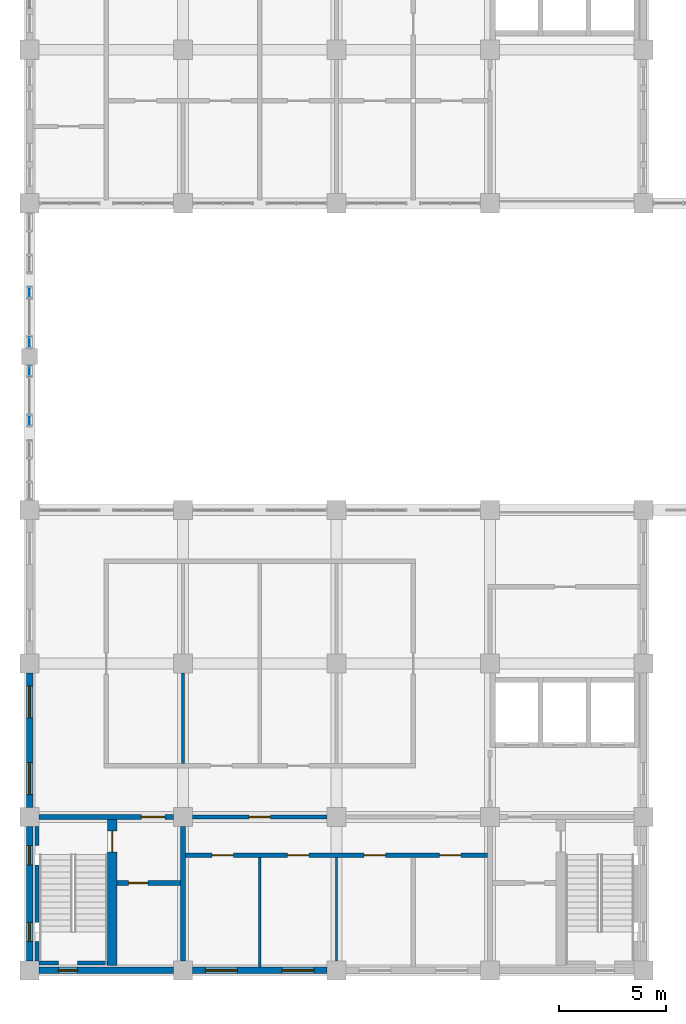
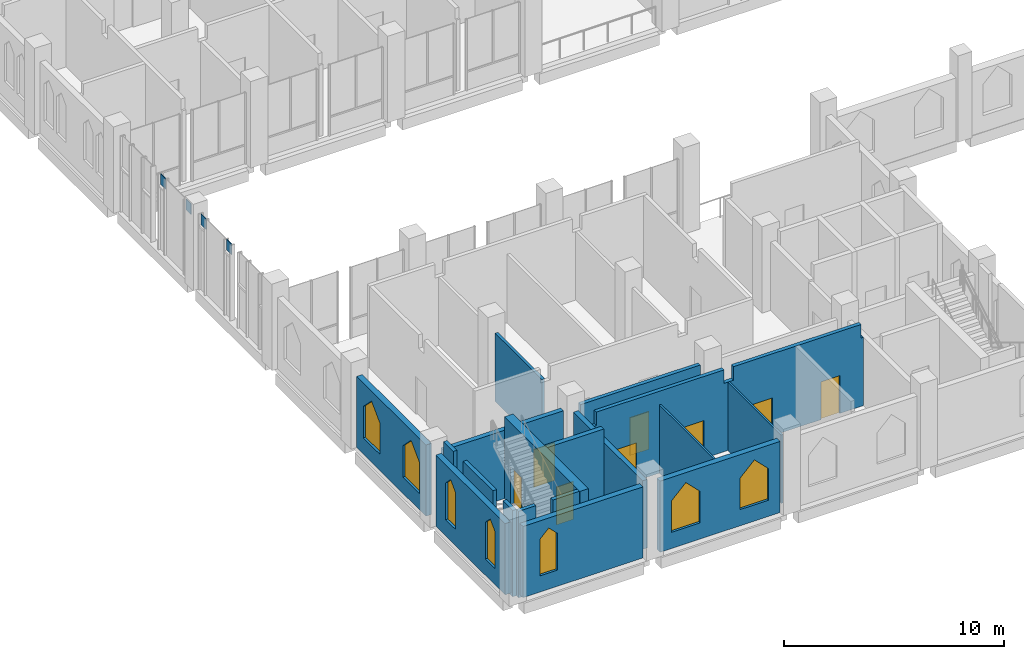
# One storey, part 27 of 39: 18 walls, 8 doors, 7 windows, 4 plates, 15 openings, 2 elements without a shape of their own.
"""IFC4 building model written with IfcOpenShell, lengths in metres."""

from ifc_helpers import new_model, si_unit, direction, frame, frame_2d, origin, origin_2d, place, context, subcontext, project, spatial, polyline, rectangle, outline, extrude, material, layer, layer_set, type_object, element, fill, aggregate, save


model = new_model("IFC4")

# Units and contexts
model_context = context("Model", 3, precision=1e-05, world=origin(), true_north=direction((0.0, 1.0)))
body_context = subcontext(model_context, "Body", "Model", "MODEL_VIEW")
ifc_project = project(units=[si_unit("LENGTHUNIT", "METRE"), si_unit("AREAUNIT", "SQUARE_METRE"), si_unit("VOLUMEUNIT", "CUBIC_METRE"), si_unit("PLANEANGLEUNIT", "RADIAN"), si_unit("MASSUNIT", "GRAM", prefix="KILO")], contexts=[model_context])

# Site, building, storey
site_placement = place(None, origin())
site = spatial("IfcSite", under=ifc_project, at=site_placement, CompositionType="ELEMENT")
building_placement = place(site_placement, origin())
building = spatial("IfcBuilding", under=site, at=building_placement, Name="Silangan Lancet Faculty of Sciences", CompositionType="ELEMENT")
storey_placement = place(building_placement, frame((0.0, 0.0, 26.39990234375)))
storey = spatial("IfcBuildingStorey", under=building, at=storey_placement, Name="L05", CompositionType="ELEMENT", Elevation=26.39990234375)

# Curtain wall, plates
ifc_material_1 = material(Name="Aluminium framed curtain wall with insulated glass", Category="aluminium")
curtain_wall_type = type_object("IfcCurtainWallType", Name="CW6 West window middle bays", PredefinedType="NOTDEFINED", material=ifc_material_1)
curtain_wall_1_placement = place(storey_placement, origin())
curtain_wall_1 = element("IfcCurtainWall", 1, at=curtain_wall_1_placement, inside=storey, type_object=curtain_wall_type, Name="CW6 West window L05 bay 2", PredefinedType="NOTDEFINED")
ifc_material_2 = material(Name="Insulated glass unit 8+16+8 low-emissivity", Category="glass")
ifc_layer_1 = layer(ifc_material_2, 0.031982421875)
ifc_layer_set_1 = layer_set([ifc_layer_1], Name="Insulated glass unit 8+16+8 low-emissivity")
plate_type = type_object("IfcPlateType", Name="CP1 Panel vision glass 32", PredefinedType="CURTAIN_PANEL", material=ifc_layer_set_1)
plate_1_placement = place(storey_placement, frame((0.0, 25.800048828125, 3.60009765625), z_axis=(0.0, 0.0, 1.0), x_axis=(0.0, 1.0, 0.0)))
plate_1 = element("IfcPlate", 2, at=plate_1_placement, type_object=plate_type, Name="CW6 West window L05 bay 2 panel 3", PredefinedType="CURTAIN_PANEL", context=body_context, shape_type="SweptSolid", body=[
    extrude(rectangle(XDim=0.449951171875, YDim=0.031982421875, at=origin_2d()), origin(), (0.0, 0.0, 1.0), 0.60009765625),
])
plate_2_placement = place(storey_placement, frame((0.0, 28.125, 3.60009765625), z_axis=(0.0, 0.0, 1.0), x_axis=(0.0, 1.0, 0.0)))
plate_2 = element("IfcPlate", 3, at=plate_2_placement, type_object=plate_type, Name="CW6 West window L05 bay 2 panel 4", PredefinedType="CURTAIN_PANEL", context=body_context, shape_type="SweptSolid", body=[
    extrude(rectangle(XDim=0.449951171875, YDim=0.031982421875, at=origin_2d()), origin(), (0.0, 0.0, 1.0), 0.60009765625),
])
aggregate(curtain_wall_1, [plate_1, plate_2])

curtain_wall_2_placement = place(storey_placement, origin())
curtain_wall_2 = element("IfcCurtainWall", 4, at=curtain_wall_2_placement, inside=storey, type_object=curtain_wall_type, Name="CW6 West window L05 bay 3", PredefinedType="NOTDEFINED")
plate_3_placement = place(storey_placement, frame((0.0, 29.47509765625, 3.60009765625), z_axis=(0.0, 0.0, 1.0), x_axis=(0.0, 1.0, 0.0)))
plate_3 = element("IfcPlate", 5, at=plate_3_placement, type_object=plate_type, Name="CW6 West window L05 bay 3 panel 3", PredefinedType="CURTAIN_PANEL", context=body_context, shape_type="SweptSolid", body=[
    extrude(rectangle(XDim=0.449951171875, YDim=0.031982421875, at=origin_2d()), origin(), (0.0, 0.0, 1.0), 0.60009765625),
])
plate_4_placement = place(storey_placement, frame((0.0, 31.7998046875, 3.60009765625), z_axis=(0.0, 0.0, 1.0), x_axis=(0.0, 1.0, 0.0)))
plate_4 = element("IfcPlate", 6, at=plate_4_placement, type_object=plate_type, Name="CW6 West window L05 bay 3 panel 4", PredefinedType="CURTAIN_PANEL", context=body_context, shape_type="SweptSolid", body=[
    extrude(rectangle(XDim=0.449951171875, YDim=0.031982421875, at=origin_2d()), origin(), (0.0, 0.0, 1.0), 0.60009765625),
])
aggregate(curtain_wall_2, [plate_3, plate_4])

# Wall, openings, windows
ifc_material_3 = material(Name="Concrete C40/50 precast", Category="concrete")
ifc_layer_2 = layer(ifc_material_3, 0.300048828125)
ifc_layer_set_2 = layer_set([ifc_layer_2], Name="Concrete C40/50 precast")
wall_type_1 = type_object("IfcWallType", Name="EW1 Precast cladding wall", PredefinedType="STANDARD", material=ifc_layer_set_2)
wall_1_placement = place(storey_placement, frame((0.0, 7.64990234375, 0.0), z_axis=(0.0, 0.0, 1.0), x_axis=(0.0, 1.0, 0.0)))
wall_1 = element("IfcWall", 7, at=wall_1_placement, inside=storey, type_object=wall_type_1, Name="EW-L05-W-ST-01", PredefinedType="STANDARD", context=body_context, shape_type="SweptSolid", body=[
    extrude(rectangle(XDim=6.300048828125, YDim=0.300048828125, at=frame_2d((3.14990234375, 0.0))), origin(), (0.0, 0.0, 1.0), 3.9501953125),
])
opening_1_placement = place(wall_1_placement, frame((0.60009765625, 0.0, 0.89990234375)))
opening_1 = element("IfcOpeningElement", 8, at=opening_1_placement, cuts=wall_1, Name="Opening W12", PredefinedType="OPENING", context=body_context, shape_type="SweptSolid", body=[
    extrude(outline(polyline([(0.0, 0.0), (1.5, 0.0), (1.5, 1.75), (0.75, 2.5), (0.0, 1.75), (0.0, 0.0)])), frame((0.0, 0.159912109375, 0.0), z_axis=(0.0, -1.0, 0.0), x_axis=(1.0, 0.0, 0.0)), (0.0, 0.0, 1.0), 0.320068359375),
])
opening_2_placement = place(wall_1_placement, frame((4.199951171875, 0.0, 0.89990234375)))
opening_2 = element("IfcOpeningElement", 9, at=opening_2_placement, cuts=wall_1, Name="Opening W12", PredefinedType="OPENING", context=body_context, shape_type="SweptSolid", body=[
    extrude(outline(polyline([(0.0, 0.0), (1.5, 0.0), (1.5, 1.75), (0.75, 2.5), (0.0, 1.75), (0.0, 0.0)])), frame((0.0, 0.159912109375, 0.0), z_axis=(0.0, -1.0, 0.0), x_axis=(1.0, 0.0, 0.0)), (0.0, 0.0, 1.0), 0.320068359375),
])
ifc_material_4 = material(Name="Aluminium frame, laminated double glazing", Category="aluminium")
window_type_1 = type_object("IfcWindowType", Name="W12 Lancet window 1500 x 2500", PartitioningType="SINGLE_PANEL", PredefinedType="WINDOW", material=ifc_material_4)
window_1_placement = place(opening_1_placement, origin())
window_1 = element("IfcWindow", 10, at=window_1_placement, inside=storey, type_object=window_type_1, Name="WIN-L05-W-ST-01a", OverallHeight=2.5, OverallWidth=1.5, PartitioningType="SINGLE_PANEL", PredefinedType="WINDOW", context=body_context, shape_type="SweptSolid", body=[
    extrude(outline(polyline([(0.0, 0.0), (1.5, 0.0), (1.5, 1.75), (0.75, 2.5), (0.0, 1.75), (0.0, 0.0)])), frame((0.0, 0.030029296875, 0.0), z_axis=(0.0, -1.0, 0.0), x_axis=(1.0, 0.0, 0.0)), (0.0, 0.0, 1.0), 0.06005859375),
])
fill(opening_1, window_1)
window_2_placement = place(opening_2_placement, origin())
window_2 = element("IfcWindow", 11, at=window_2_placement, inside=storey, type_object=window_type_1, Name="WIN-L05-W-ST-01b", OverallHeight=2.5, OverallWidth=1.5, PartitioningType="SINGLE_PANEL", PredefinedType="WINDOW", context=body_context, shape_type="SweptSolid", body=[
    extrude(outline(polyline([(0.0, 0.0), (1.5, 0.0), (1.5, 1.75), (0.75, 2.5), (0.0, 1.75), (0.0, 0.0)])), frame((0.0, 0.030029296875, 0.0), z_axis=(0.0, -1.0, 0.0), x_axis=(1.0, 0.0, 0.0)), (0.0, 0.0, 1.0), 0.06005859375),
])
fill(opening_2, window_2)

wall_2_placement = place(storey_placement, frame((7.64990234375, 0.0, 0.0), z_axis=(0.0, 0.0, 1.0), x_axis=(1.0, 0.0, 0.0)))
wall_2 = element("IfcWall", 12, at=wall_2_placement, inside=storey, type_object=wall_type_1, Name="EW-L05-S-ST-01", PredefinedType="STANDARD", context=body_context, shape_type="SweptSolid", body=[
    extrude(rectangle(XDim=6.300048828125, YDim=0.300048828125, at=frame_2d((3.14990234375, 0.0))), origin(), (0.0, 0.0, 1.0), 3.9501953125),
])
opening_3_placement = place(wall_2_placement, frame((0.60009765625, 0.0, 0.89990234375)))
opening_3 = element("IfcOpeningElement", 13, at=opening_3_placement, cuts=wall_2, Name="Opening W12", PredefinedType="OPENING", context=body_context, shape_type="SweptSolid", body=[
    extrude(outline(polyline([(0.0, 0.0), (1.5, 0.0), (1.5, 1.75), (0.75, 2.5), (0.0, 1.75), (0.0, 0.0)])), frame((0.0, 0.159912109375, 0.0), z_axis=(0.0, -1.0, 0.0), x_axis=(1.0, 0.0, 0.0)), (0.0, 0.0, 1.0), 0.320068359375),
])
opening_4_placement = place(wall_2_placement, frame((4.199951171875, 0.0, 0.89990234375)))
opening_4 = element("IfcOpeningElement", 14, at=opening_4_placement, cuts=wall_2, Name="Opening W12", PredefinedType="OPENING", context=body_context, shape_type="SweptSolid", body=[
    extrude(outline(polyline([(0.0, 0.0), (1.5, 0.0), (1.5, 1.75), (0.75, 2.5), (0.0, 1.75), (0.0, 0.0)])), frame((0.0, 0.159912109375, 0.0), z_axis=(0.0, -1.0, 0.0), x_axis=(1.0, 0.0, 0.0)), (0.0, 0.0, 1.0), 0.320068359375),
])
window_3_placement = place(opening_3_placement, origin())
window_3 = element("IfcWindow", 15, at=window_3_placement, inside=storey, type_object=window_type_1, Name="WIN-L05-S-ST-01a", OverallHeight=2.5, OverallWidth=1.5, PartitioningType="SINGLE_PANEL", PredefinedType="WINDOW", context=body_context, shape_type="SweptSolid", body=[
    extrude(outline(polyline([(0.0, 0.0), (1.5, 0.0), (1.5, 1.75), (0.75, 2.5), (0.0, 1.75), (0.0, 0.0)])), frame((0.0, 0.030029296875, 0.0), z_axis=(0.0, -1.0, 0.0), x_axis=(1.0, 0.0, 0.0)), (0.0, 0.0, 1.0), 0.06005859375),
])
fill(opening_3, window_3)
window_4_placement = place(opening_4_placement, origin())
window_4 = element("IfcWindow", 16, at=window_4_placement, inside=storey, type_object=window_type_1, Name="WIN-L05-S-ST-01b", OverallHeight=2.5, OverallWidth=1.5, PartitioningType="SINGLE_PANEL", PredefinedType="WINDOW", context=body_context, shape_type="SweptSolid", body=[
    extrude(outline(polyline([(0.0, 0.0), (1.5, 0.0), (1.5, 1.75), (0.75, 2.5), (0.0, 1.75), (0.0, 0.0)])), frame((0.0, 0.030029296875, 0.0), z_axis=(0.0, -1.0, 0.0), x_axis=(1.0, 0.0, 0.0)), (0.0, 0.0, 1.0), 0.06005859375),
])
fill(opening_4, window_4)

ifc_material_5 = material(Name="Concrete C40/50 precast", Category="concrete")
ifc_layer_3 = layer(ifc_material_5, 0.300048828125)
ifc_layer_set_3 = layer_set([ifc_layer_3], Name="Concrete C40/50 precast")
wall_type_2 = type_object("IfcWallType", Name="EW2 Turret enclosure wall", PredefinedType="STANDARD", material=ifc_layer_set_3)
wall_3_placement = place(storey_placement, frame((0.0, 0.449951171875, 0.0), z_axis=(0.0, 0.0, 1.0), x_axis=(0.0, 1.0, 0.0)))
wall_3 = element("IfcWall", 17, at=wall_3_placement, inside=storey, type_object=wall_type_2, Name="EW-L05-W-ST-00", PredefinedType="STANDARD", context=body_context, shape_type="SweptSolid", body=[
    extrude(rectangle(XDim=6.300048828125, YDim=0.300048828125, at=frame_2d((3.14990234375, 0.0))), origin(), (0.0, 0.0, 1.0), 3.9501953125),
])
opening_5_placement = place(wall_3_placement, frame((0.89990234375, 0.0, 0.89990234375)))
opening_5 = element("IfcOpeningElement", 18, at=opening_5_placement, cuts=wall_3, Name="Opening W11", PredefinedType="OPENING", context=body_context, shape_type="SweptSolid", body=[
    extrude(outline(polyline([(0.0, 0.0), (0.89990234375, 0.0), (0.89990234375, 2.050048828125), (0.449951171875, 2.5), (0.0, 2.050048828125), (0.0, 0.0)])), frame((0.0, 0.159912109375, 0.0), z_axis=(0.0, -1.0, 0.0), x_axis=(1.0, 0.0, 0.0)), (0.0, 0.0, 1.0), 0.320068359375),
])
opening_6_placement = place(wall_3_placement, frame((4.5, 0.0, 0.89990234375)))
opening_6 = element("IfcOpeningElement", 19, at=opening_6_placement, cuts=wall_3, Name="Opening W11", PredefinedType="OPENING", context=body_context, shape_type="SweptSolid", body=[
    extrude(outline(polyline([(0.0, 0.0), (0.89990234375, 0.0), (0.89990234375, 2.050048828125), (0.449951171875, 2.5), (0.0, 2.050048828125), (0.0, 0.0)])), frame((0.0, 0.159912109375, 0.0), z_axis=(0.0, -1.0, 0.0), x_axis=(1.0, 0.0, 0.0)), (0.0, 0.0, 1.0), 0.320068359375),
])
ifc_material_6 = material(Name="Aluminium frame, laminated double glazing", Category="aluminium")
window_type_2 = type_object("IfcWindowType", Name="W11 Lancet window 900 x 2500", PartitioningType="SINGLE_PANEL", PredefinedType="WINDOW", material=ifc_material_6)
window_5_placement = place(opening_5_placement, origin())
window_5 = element("IfcWindow", 20, at=window_5_placement, inside=storey, type_object=window_type_2, Name="WIN-L05-W-ST-00a", OverallHeight=2.5, OverallWidth=0.89990234375, PartitioningType="SINGLE_PANEL", PredefinedType="WINDOW", context=body_context, shape_type="SweptSolid", body=[
    extrude(outline(polyline([(0.0, 0.0), (0.89990234375, 0.0), (0.89990234375, 2.050048828125), (0.449951171875, 2.5), (0.0, 2.050048828125), (0.0, 0.0)])), frame((0.0, 0.030029296875, 0.0), z_axis=(0.0, -1.0, 0.0), x_axis=(1.0, 0.0, 0.0)), (0.0, 0.0, 1.0), 0.06005859375),
])
fill(opening_5, window_5)
window_6_placement = place(opening_6_placement, origin())
window_6 = element("IfcWindow", 21, at=window_6_placement, inside=storey, type_object=window_type_2, Name="WIN-L05-W-ST-00b", OverallHeight=2.5, OverallWidth=0.89990234375, PartitioningType="SINGLE_PANEL", PredefinedType="WINDOW", context=body_context, shape_type="SweptSolid", body=[
    extrude(outline(polyline([(0.0, 0.0), (0.89990234375, 0.0), (0.89990234375, 2.050048828125), (0.449951171875, 2.5), (0.0, 2.050048828125), (0.0, 0.0)])), frame((0.0, 0.030029296875, 0.0), z_axis=(0.0, -1.0, 0.0), x_axis=(1.0, 0.0, 0.0)), (0.0, 0.0, 1.0), 0.06005859375),
])
fill(opening_6, window_6)

# Wall, opening, window
wall_4_placement = place(storey_placement, frame((0.449951171875, 0.0, 0.0), z_axis=(0.0, 0.0, 1.0), x_axis=(1.0, 0.0, 0.0)))
wall_4 = element("IfcWall", 22, at=wall_4_placement, inside=storey, type_object=wall_type_2, Name="EW-L05-S-ST-00", PredefinedType="STANDARD", context=body_context, shape_type="SweptSolid", body=[
    extrude(rectangle(XDim=6.300048828125, YDim=0.300048828125, at=frame_2d((3.14990234375, 0.0))), origin(), (0.0, 0.0, 1.0), 3.9501953125),
])
opening_7_placement = place(wall_4_placement, frame((0.89990234375, 0.0, 0.89990234375)))
opening_7 = element("IfcOpeningElement", 23, at=opening_7_placement, cuts=wall_4, Name="Opening W11", PredefinedType="OPENING", context=body_context, shape_type="SweptSolid", body=[
    extrude(outline(polyline([(0.0, 0.0), (0.89990234375, 0.0), (0.89990234375, 2.050048828125), (0.449951171875, 2.5), (0.0, 2.050048828125), (0.0, 0.0)])), frame((0.0, 0.159912109375, 0.0), z_axis=(0.0, -1.0, 0.0), x_axis=(1.0, 0.0, 0.0)), (0.0, 0.0, 1.0), 0.320068359375),
])
window_7_placement = place(opening_7_placement, origin())
window_7 = element("IfcWindow", 24, at=window_7_placement, inside=storey, type_object=window_type_2, Name="WIN-L05-S-ST-00a", OverallHeight=2.5, OverallWidth=0.89990234375, PartitioningType="SINGLE_PANEL", PredefinedType="WINDOW", context=body_context, shape_type="SweptSolid", body=[
    extrude(outline(polyline([(0.0, 0.0), (0.89990234375, 0.0), (0.89990234375, 2.050048828125), (0.449951171875, 2.5), (0.0, 2.050048828125), (0.0, 0.0)])), frame((0.0, 0.030029296875, 0.0), z_axis=(0.0, -1.0, 0.0), x_axis=(1.0, 0.0, 0.0)), (0.0, 0.0, 1.0), 0.06005859375),
])
fill(opening_7, window_7)

# Wall, openings, doors
ifc_material_7 = material(Name="Hollow block masonry fm 7 MPa", Category="masonry")
ifc_layer_4 = layer(ifc_material_7, 0.199951171875)
ifc_layer_set_4 = layer_set([ifc_layer_4], Name="Hollow block masonry fm 7 MPa")
wall_type_3 = type_object("IfcWallType", Name="Interior wall PW1 Corridor wall CHB 200", PredefinedType="PARTITIONING", material=ifc_layer_set_4)
wall_5_placement = place(storey_placement, frame((7.324951171875, 5.39990234375, 0.0), z_axis=(0.0, 0.0, 1.0), x_axis=(1.0, 0.0, 0.0)))
wall_5 = element("IfcWall", 25, at=wall_5_placement, inside=storey, type_object=wall_type_3, Name="Corridor wall CHB 200", PredefinedType="PARTITIONING", context=body_context, shape_type="SweptSolid", body=[
    extrude(outline(polyline([(0.0, 0.0), (14.150146484375, 0.0), (14.150146484375, 3.800048828125), (14.02490234375, 3.800048828125), (14.02490234375, 4.550048828125), (7.324951171875, 4.550048828125), (7.324951171875, 3.800048828125), (6.824951171875, 3.800048828125), (6.824951171875, 4.550048828125), (0.125, 4.550048828125), (0.125, 3.800048828125), (0.0, 3.800048828125), (0.0, 0.0)])), frame((0.0, 0.10009765625, 0.0), z_axis=(0.0, -1.0, 0.0), x_axis=(1.0, 0.0, 0.0)), (0.0, 0.0, 1.0), 0.199951171875),
])
opening_8_placement = place(wall_5_placement, frame((1.237548828125, 0.0, 0.0)))
opening_8 = element("IfcOpeningElement", 26, at=opening_8_placement, cuts=wall_5, Name="Opening L05-009", PredefinedType="OPENING", context=body_context, shape_type="SweptSolid", body=[
    extrude(rectangle(XDim=1.0, YDim=2.10009765625, at=frame_2d((0.5, 1.050048828125))), frame((0.0, 0.10986328125, 0.0), z_axis=(0.0, -1.0, 0.0), x_axis=(1.0, 0.0, 0.0)), (0.0, 0.0, 1.0), 0.219970703125),
])
opening_9_placement = place(wall_5_placement, frame((4.77490234375, 0.0, 0.0)))
opening_9 = element("IfcOpeningElement", 27, at=opening_9_placement, cuts=wall_5, Name="Opening L05-010", PredefinedType="OPENING", context=body_context, shape_type="SweptSolid", body=[
    extrude(rectangle(XDim=1.0, YDim=2.10009765625, at=frame_2d((0.5, 1.050048828125))), frame((0.0, 0.10986328125, 0.0), z_axis=(0.0, -1.0, 0.0), x_axis=(1.0, 0.0, 0.0)), (0.0, 0.0, 1.0), 0.219970703125),
])
opening_10_placement = place(wall_5_placement, frame((8.375, 0.0, 0.0)))
opening_10 = element("IfcOpeningElement", 28, at=opening_10_placement, cuts=wall_5, Name="Opening L05-011", PredefinedType="OPENING", context=body_context, shape_type="SweptSolid", body=[
    extrude(rectangle(XDim=1.0, YDim=2.10009765625, at=frame_2d((0.5, 1.050048828125))), frame((0.0, 0.10986328125, 0.0), z_axis=(0.0, -1.0, 0.0), x_axis=(1.0, 0.0, 0.0)), (0.0, 0.0, 1.0), 0.219970703125),
])
opening_11_placement = place(wall_5_placement, frame((11.91259765625, 0.0, 0.0)))
opening_11 = element("IfcOpeningElement", 29, at=opening_11_placement, cuts=wall_5, Name="Opening L05-012", PredefinedType="OPENING", context=body_context, shape_type="SweptSolid", body=[
    extrude(rectangle(XDim=1.0, YDim=2.10009765625, at=frame_2d((0.5, 1.050048828125))), frame((0.0, 0.10986328125, 0.0), z_axis=(0.0, -1.0, 0.0), x_axis=(1.0, 0.0, 0.0)), (0.0, 0.0, 1.0), 0.219970703125),
])
ifc_material_8 = material(Name="Steel fire door set", Category="steel")
door_type_1 = type_object("IfcDoorType", Name="Door D1 Single leaf fire door 1000 x 2100", OperationType="SINGLE_SWING_LEFT", PredefinedType="DOOR", material=ifc_material_8)
door_1_placement = place(opening_8_placement, frame((1.0, 0.0, 0.0), z_axis=(0.0, 0.0, 1.0), x_axis=(-1.0, 0.0, 0.0)))
door_1 = element("IfcDoor", 30, at=door_1_placement, inside=storey, type_object=door_type_1, Name="Single leaf fire door 1000 x 2100", OperationType="SINGLE_SWING_LEFT", OverallHeight=2.10009765625, OverallWidth=1.0, PredefinedType="DOOR", context=body_context, shape_type="SweptSolid", body=[
    extrude(rectangle(XDim=1.0, YDim=2.10009765625, at=frame_2d((0.5, 1.050048828125))), frame((0.0, 0.025146484375, 0.0), z_axis=(0.0, -1.0, 0.0), x_axis=(1.0, 0.0, 0.0)), (0.0, 0.0, 1.0), 0.050048828125),
])
fill(opening_8, door_1)
door_2_placement = place(opening_9_placement, frame((1.0, 0.0, 0.0), z_axis=(0.0, 0.0, 1.0), x_axis=(-1.0, 0.0, 0.0)))
door_2 = element("IfcDoor", 31, at=door_2_placement, inside=storey, type_object=door_type_1, Name="Single leaf fire door 1000 x 2100", OperationType="SINGLE_SWING_RIGHT", OverallHeight=2.10009765625, OverallWidth=1.0, PredefinedType="DOOR", context=body_context, shape_type="SweptSolid", body=[
    extrude(rectangle(XDim=1.0, YDim=2.10009765625, at=frame_2d((0.5, 1.050048828125))), frame((0.0, 0.025146484375, 0.0), z_axis=(0.0, -1.0, 0.0), x_axis=(1.0, 0.0, 0.0)), (0.0, 0.0, 1.0), 0.050048828125),
])
fill(opening_9, door_2)
door_3_placement = place(opening_10_placement, frame((1.0, 0.0, 0.0), z_axis=(0.0, 0.0, 1.0), x_axis=(-1.0, 0.0, 0.0)))
door_3 = element("IfcDoor", 32, at=door_3_placement, inside=storey, type_object=door_type_1, Name="Single leaf fire door 1000 x 2100", OperationType="SINGLE_SWING_LEFT", OverallHeight=2.10009765625, OverallWidth=1.0, PredefinedType="DOOR", context=body_context, shape_type="SweptSolid", body=[
    extrude(rectangle(XDim=1.0, YDim=2.10009765625, at=frame_2d((0.5, 1.050048828125))), frame((0.0, 0.025146484375, 0.0), z_axis=(0.0, -1.0, 0.0), x_axis=(1.0, 0.0, 0.0)), (0.0, 0.0, 1.0), 0.050048828125),
])
fill(opening_10, door_3)
door_4_placement = place(opening_11_placement, frame((1.0, 0.0, 0.0), z_axis=(0.0, 0.0, 1.0), x_axis=(-1.0, 0.0, 0.0)))
door_4 = element("IfcDoor", 33, at=door_4_placement, inside=storey, type_object=door_type_1, Name="Single leaf fire door 1000 x 2100", OperationType="SINGLE_SWING_RIGHT", OverallHeight=2.10009765625, OverallWidth=1.0, PredefinedType="DOOR", context=body_context, shape_type="SweptSolid", body=[
    extrude(rectangle(XDim=1.0, YDim=2.10009765625, at=frame_2d((0.5, 1.050048828125))), frame((0.0, 0.025146484375, 0.0), z_axis=(0.0, -1.0, 0.0), x_axis=(1.0, 0.0, 0.0)), (0.0, 0.0, 1.0), 0.050048828125),
])
fill(opening_11, door_4)

# Wall, opening, door
wall_6_placement = place(storey_placement, frame((7.64990234375, 7.199951171875, 0.0), z_axis=(0.0, 0.0, 1.0), x_axis=(1.0, 0.0, 0.0)))
wall_6 = element("IfcWall", 34, at=wall_6_placement, inside=storey, type_object=wall_type_3, Name="Corridor wall CHB 200", PredefinedType="PARTITIONING", context=body_context, shape_type="SweptSolid", body=[
    extrude(rectangle(XDim=6.300048828125, YDim=0.199951171875, at=frame_2d((3.14990234375, 0.0))), origin(), (0.0, 0.0, 1.0), 3.800048828125),
])
opening_12_placement = place(wall_6_placement, frame((2.64990234375, 0.0, 0.0)))
opening_12 = element("IfcOpeningElement", 35, at=opening_12_placement, cuts=wall_6, Name="Opening L05-002", PredefinedType="OPENING", context=body_context, shape_type="SweptSolid", body=[
    extrude(rectangle(XDim=1.0, YDim=2.10009765625, at=frame_2d((0.5, 1.050048828125))), frame((0.0, 0.10986328125, 0.0), z_axis=(0.0, -1.0, 0.0), x_axis=(1.0, 0.0, 0.0)), (0.0, 0.0, 1.0), 0.219970703125),
])
door_5_placement = place(opening_12_placement, frame((1.0, 0.0, 0.0), z_axis=(0.0, 0.0, 1.0), x_axis=(-1.0, 0.0, 0.0)))
door_5 = element("IfcDoor", 36, at=door_5_placement, inside=storey, type_object=door_type_1, Name="Single leaf fire door 1000 x 2100", OperationType="SINGLE_SWING_RIGHT", OverallHeight=2.10009765625, OverallWidth=1.0, PredefinedType="DOOR", context=body_context, shape_type="SweptSolid", body=[
    extrude(rectangle(XDim=1.0, YDim=2.10009765625, at=frame_2d((0.5, 1.050048828125))), frame((0.0, 0.025146484375, 0.0), z_axis=(0.0, -1.0, 0.0), x_axis=(1.0, 0.0, 0.0)), (0.0, 0.0, 1.0), 0.050048828125),
])
fill(opening_12, door_5)

# Walls
ifc_material_9 = material(Name="Hollow block masonry fm 7 MPa", Category="masonry")
ifc_layer_5 = layer(ifc_material_9, 0.14990234375)
ifc_layer_set_5 = layer_set([ifc_layer_5], Name="Hollow block masonry fm 7 MPa")
wall_type_4 = type_object("IfcWallType", Name="Interior wall PW3 Partition CHB 150", PredefinedType="PARTITIONING", material=ifc_layer_set_5)
wall_7_placement = place(storey_placement, frame((7.199951171875, 9.699951171875, 0.0), z_axis=(0.0, 0.0, 1.0), x_axis=(0.0, 1.0, 0.0)))
element("IfcWall", 37, at=wall_7_placement, inside=storey, type_object=wall_type_4, Name="Partition CHB 150", PredefinedType="PARTITIONING", context=body_context, shape_type="SweptSolid", body=[
    extrude(rectangle(XDim=4.25, YDim=0.14990234375, at=frame_2d((2.125, 0.0))), origin(), (0.0, 0.0, 1.0), 3.800048828125),
])
ifc_material_10 = material(Name="Hollow block masonry fm 7 MPa", Category="masonry")
ifc_layer_6 = layer(ifc_material_10, 0.10009765625)
ifc_layer_set_6 = layer_set([ifc_layer_6], Name="Hollow block masonry fm 7 MPa")
wall_type_5 = type_object("IfcWallType", Name="Interior wall PW8 WC partition CHB 100", PredefinedType="PARTITIONING", material=ifc_layer_set_6)
wall_8_placement = place(storey_placement, frame((10.800048828125, 0.14990234375, 0.0), z_axis=(0.0, 0.0, 1.0), x_axis=(0.0, 1.0, 0.0)))
element("IfcWall", 38, at=wall_8_placement, inside=storey, type_object=wall_type_5, Name="WC partition CHB 100", PredefinedType="PARTITIONING", context=body_context, shape_type="SweptSolid", body=[
    extrude(rectangle(XDim=5.150146484375, YDim=0.10009765625, at=frame_2d((2.5751953125, 0.0))), origin(), (0.0, 0.0, 1.0), 3.800048828125),
])
wall_9_placement = place(storey_placement, frame((14.39990234375, 0.449951171875, 0.0), z_axis=(0.0, 0.0, 1.0), x_axis=(0.0, 1.0, 0.0)))
element("IfcWall", 39, at=wall_9_placement, inside=storey, type_object=wall_type_5, Name="WC partition CHB 100", PredefinedType="PARTITIONING", context=body_context, shape_type="SweptSolid", body=[
    extrude(rectangle(XDim=4.85009765625, YDim=0.10009765625, at=frame_2d((2.425048828125, 0.0))), origin(), (0.0, 0.0, 1.0), 3.800048828125),
])

# Wall, opening, door
ifc_material_11 = material(Name="Concrete C40/50", Category="concrete")
ifc_layer_7 = layer(ifc_material_11, 0.449951171875)
ifc_layer_set_7 = layer_set([ifc_layer_7], Name="Concrete C40/50")
wall_type_6 = type_object("IfcWallType", Name="TURRET CORE WALL RC 450", PredefinedType="SHEAR", material=ifc_layer_set_7)
wall_10_placement = place(storey_placement, frame((3.875, 0.22509765625, 0.0), z_axis=(0.0, 0.0, 1.0), x_axis=(0.0, 1.0, 0.0)))
wall_10 = element("IfcWall", 40, at=wall_10_placement, inside=storey, type_object=wall_type_6, Name="WALL-L05-ST-A-WELL", PredefinedType="SHEAR", context=body_context, shape_type="SweptSolid", body=[
    extrude(rectangle(XDim=6.849853515625, YDim=0.449951171875, at=frame_2d((3.4248046875, 0.0))), origin(), (0.0, 0.0, 1.0), 4.550048828125),
])
opening_13_placement = place(wall_10_placement, frame((5.324951171875, 0.0, 0.0)))
opening_13 = element("IfcOpeningElement", 41, at=opening_13_placement, cuts=wall_10, Name="Opening L05-713", PredefinedType="OPENING", context=body_context, shape_type="SweptSolid", body=[
    extrude(rectangle(XDim=1.0, YDim=2.10009765625, at=frame_2d((0.5, 1.050048828125))), frame((0.0, 0.23486328125, 0.0), z_axis=(0.0, -1.0, 0.0), x_axis=(1.0, 0.0, 0.0)), (0.0, 0.0, 1.0), 0.469970703125),
])
ifc_material_12 = material(Name="Steel fire door set", Category="steel")
door_type_2 = type_object("IfcDoorType", Name="D71 Stair enclosure door 1000x2100", OperationType="SINGLE_SWING_LEFT", PredefinedType="DOOR", material=ifc_material_12)
door_6_placement = place(opening_13_placement, origin())
door_6 = element("IfcDoor", 42, at=door_6_placement, inside=storey, type_object=door_type_2, Name="Stair enclosure door ST-A L05", OperationType="SINGLE_SWING_RIGHT", OverallHeight=2.10009765625, OverallWidth=1.0, PredefinedType="DOOR", context=body_context, shape_type="SweptSolid", body=[
    extrude(rectangle(XDim=1.0, YDim=2.10009765625, at=frame_2d((0.5, 1.050048828125))), frame((0.0, 0.02490234375, 0.0), z_axis=(0.0, -1.0, 0.0), x_axis=(1.0, 0.0, 0.0)), (0.0, 0.0, 1.0), 0.050048828125),
])
fill(opening_13, door_6)

# Walls
ifc_material_13 = material(Name="Concrete C40/50", Category="concrete")
ifc_layer_8 = layer(ifc_material_13, 0.199951171875)
ifc_layer_set_8 = layer_set([ifc_layer_8], Name="Concrete C40/50")
wall_type_7 = type_object("IfcWallType", Name="TURRET LINING WALL RC 200", PredefinedType="SHEAR", material=ifc_layer_set_8)
wall_11_placement = place(storey_placement, frame((0.35009765625, 0.449951171875, -0.25), z_axis=(0.0, 0.0, 1.0), x_axis=(0.0, 1.0, 0.0)))
element("IfcWall", 43, at=wall_11_placement, inside=storey, type_object=wall_type_7, Name="WALL-L05-ST-A-WL", PredefinedType="SHEAR", context=body_context, shape_type="SweptSolid", body=[
    extrude(rectangle(XDim=0.900146484375, YDim=0.199951171875, at=frame_2d((0.4501953125, 0.0))), origin(), (0.0, 0.0, 1.0), 4.800048828125),
])
wall_12_placement = place(storey_placement, frame((0.35009765625, 2.25, -0.25), z_axis=(0.0, 0.0, 1.0), x_axis=(0.0, 1.0, 0.0)))
element("IfcWall", 44, at=wall_12_placement, inside=storey, type_object=wall_type_7, Name="WALL-L05-ST-A-WL-2", PredefinedType="SHEAR", context=body_context, shape_type="SweptSolid", body=[
    extrude(rectangle(XDim=2.699951171875, YDim=0.199951171875, at=frame_2d((1.35009765625, 0.0))), origin(), (0.0, 0.0, 1.0), 4.800048828125),
])
wall_13_placement = place(storey_placement, frame((0.35009765625, 5.85009765625, -0.25), z_axis=(0.0, 0.0, 1.0), x_axis=(0.0, 1.0, 0.0)))
element("IfcWall", 45, at=wall_13_placement, inside=storey, type_object=wall_type_7, Name="WALL-L05-ST-A-WL-3", PredefinedType="SHEAR", context=body_context, shape_type="SweptSolid", body=[
    extrude(rectangle(XDim=0.89990234375, YDim=0.199951171875, at=frame_2d((0.449951171875, 0.0))), origin(), (0.0, 0.0, 1.0), 4.800048828125),
])
wall_14_placement = place(storey_placement, frame((0.449951171875, 0.35009765625, -0.25), z_axis=(0.0, 0.0, 1.0), x_axis=(1.0, 0.0, 0.0)))
element("IfcWall", 46, at=wall_14_placement, inside=storey, type_object=wall_type_7, Name="WALL-L05-ST-A-WLD", PredefinedType="SHEAR", context=body_context, shape_type="SweptSolid", body=[
    extrude(rectangle(XDim=0.900146484375, YDim=0.199951171875, at=frame_2d((0.4501953125, 0.0))), origin(), (0.0, 0.0, 1.0), 4.800048828125),
])
wall_15_placement = place(storey_placement, frame((2.25, 0.35009765625, -0.25), z_axis=(0.0, 0.0, 1.0), x_axis=(1.0, 0.0, 0.0)))
element("IfcWall", 47, at=wall_15_placement, inside=storey, type_object=wall_type_7, Name="WALL-L05-ST-A-WLD-2", PredefinedType="SHEAR", context=body_context, shape_type="SweptSolid", body=[
    extrude(rectangle(XDim=1.39990234375, YDim=0.199951171875, at=frame_2d((0.699951171875, 0.0))), origin(), (0.0, 0.0, 1.0), 4.800048828125),
])

# Wall, opening, door
ifc_material_14 = material(Name="Concrete C40/50", Category="concrete")
ifc_layer_9 = layer(ifc_material_14, 0.25)
ifc_layer_set_9 = layer_set([ifc_layer_9], Name="Concrete C40/50")
wall_type_8 = type_object("IfcWallType", Name="TURRET WALL RC 250", PredefinedType="SHEAR", material=ifc_layer_set_9)
wall_16_placement = place(storey_placement, frame((0.449951171875, 7.199951171875, 0.0), z_axis=(0.0, 0.0, 1.0), x_axis=(1.0, 0.0, 0.0)))
wall_16 = element("IfcWall", 48, at=wall_16_placement, inside=storey, type_object=wall_type_8, Name="WALL-L05-ST-A-V", PredefinedType="SHEAR", context=body_context, shape_type="SweptSolid", body=[
    extrude(rectangle(XDim=6.300048828125, YDim=0.25, at=frame_2d((3.14990234375, 0.0))), origin(), (0.0, 0.0, 1.0), 3.800048828125),
])
opening_14_placement = place(wall_16_placement, frame((4.800048828125, 0.0, 0.0)))
opening_14 = element("IfcOpeningElement", 49, at=opening_14_placement, cuts=wall_16, Name="Opening L05-714", PredefinedType="OPENING", context=body_context, shape_type="SweptSolid", body=[
    extrude(rectangle(XDim=1.10009765625, YDim=2.10009765625, at=frame_2d((0.550048828125, 1.050048828125))), frame((0.0, 0.135009765625, 0.0), z_axis=(0.0, -1.0, 0.0), x_axis=(1.0, 0.0, 0.0)), (0.0, 0.0, 1.0), 0.27001953125),
])
ifc_material_15 = material(Name="Steel fire door set", Category="steel")
door_type_3 = type_object("IfcDoorType", Name="D70 Stair vestibule door 1100x2100", OperationType="SINGLE_SWING_LEFT", PredefinedType="DOOR", material=ifc_material_15)
door_7_placement = place(opening_14_placement, frame((1.10009765625, 0.0, 0.0), z_axis=(0.0, 0.0, 1.0), x_axis=(-1.0, 0.0, 0.0)))
door_7 = element("IfcDoor", 50, at=door_7_placement, inside=storey, type_object=door_type_3, Name="Stair vestibule door ST-A L05", OperationType="SINGLE_SWING_LEFT", OverallHeight=2.10009765625, OverallWidth=1.10009765625, PredefinedType="DOOR", context=body_context, shape_type="SweptSolid", body=[
    extrude(rectangle(XDim=1.10009765625, YDim=2.10009765625, at=frame_2d((0.550048828125, 1.050048828125))), frame((0.0, 0.025146484375, 0.0), z_axis=(0.0, -1.0, 0.0), x_axis=(1.0, 0.0, 0.0)), (0.0, 0.0, 1.0), 0.050048828125),
])
fill(opening_14, door_7)

# Wall
wall_17_placement = place(storey_placement, frame((7.199951171875, 0.449951171875, 0.0), z_axis=(0.0, 0.0, 1.0), x_axis=(0.0, 1.0, 0.0)))
element("IfcWall", 51, at=wall_17_placement, inside=storey, type_object=wall_type_8, Name="WALL-L05-ST-A-O", PredefinedType="SHEAR", context=body_context, shape_type="SweptSolid", body=[
    extrude(rectangle(XDim=6.300048828125, YDim=0.25, at=frame_2d((3.14990234375, 0.0))), origin(), (0.0, 0.0, 1.0), 3.800048828125),
])

# Wall, opening, door
wall_18_placement = place(storey_placement, frame((4.10009765625, 4.10009765625, 0.0), z_axis=(0.0, 0.0, 1.0), x_axis=(1.0, 0.0, 0.0)))
wall_18 = element("IfcWall", 52, at=wall_18_placement, inside=storey, type_object=wall_type_8, Name="WALL-L05-ST-A-RISER", PredefinedType="SHEAR", context=body_context, shape_type="SweptSolid", body=[
    extrude(rectangle(XDim=2.974853515625, YDim=0.25, at=frame_2d((1.4873046875, 0.0))), origin(), (0.0, 0.0, 1.0), 4.550048828125),
])
opening_15_placement = place(wall_18_placement, frame((0.550048828125, 0.0, 0.0)))
opening_15 = element("IfcOpeningElement", 53, at=opening_15_placement, cuts=wall_18, Name="Opening L05-715", PredefinedType="OPENING", context=body_context, shape_type="SweptSolid", body=[
    extrude(rectangle(XDim=0.89990234375, YDim=2.10009765625, at=frame_2d((0.449951171875, 1.050048828125))), frame((0.0, 0.135009765625, 0.0), z_axis=(0.0, -1.0, 0.0), x_axis=(1.0, 0.0, 0.0)), (0.0, 0.0, 1.0), 0.27001953125),
])
ifc_material_16 = material(Name="Steel fire door set", Category="steel")
door_type_4 = type_object("IfcDoorType", Name="D72 Riser access door 900x2100", OperationType="SINGLE_SWING_LEFT", PredefinedType="DOOR", material=ifc_material_16)
door_8_placement = place(opening_15_placement, frame((0.89990234375, 0.0, 0.0), z_axis=(0.0, 0.0, 1.0), x_axis=(-1.0, 0.0, 0.0)))
door_8 = element("IfcDoor", 54, at=door_8_placement, inside=storey, type_object=door_type_4, Name="Riser access door ST-A L05", OperationType="SINGLE_SWING_LEFT", OverallHeight=2.10009765625, OverallWidth=0.89990234375, PredefinedType="DOOR", context=body_context, shape_type="SweptSolid", body=[
    extrude(rectangle(XDim=0.89990234375, YDim=2.10009765625, at=frame_2d((0.449951171875, 1.050048828125))), frame((0.0, 0.025146484375, 0.0), z_axis=(0.0, -1.0, 0.0), x_axis=(1.0, 0.0, 0.0)), (0.0, 0.0, 1.0), 0.050048828125),
])
fill(opening_15, door_8)

save(model, "model.ifc")
